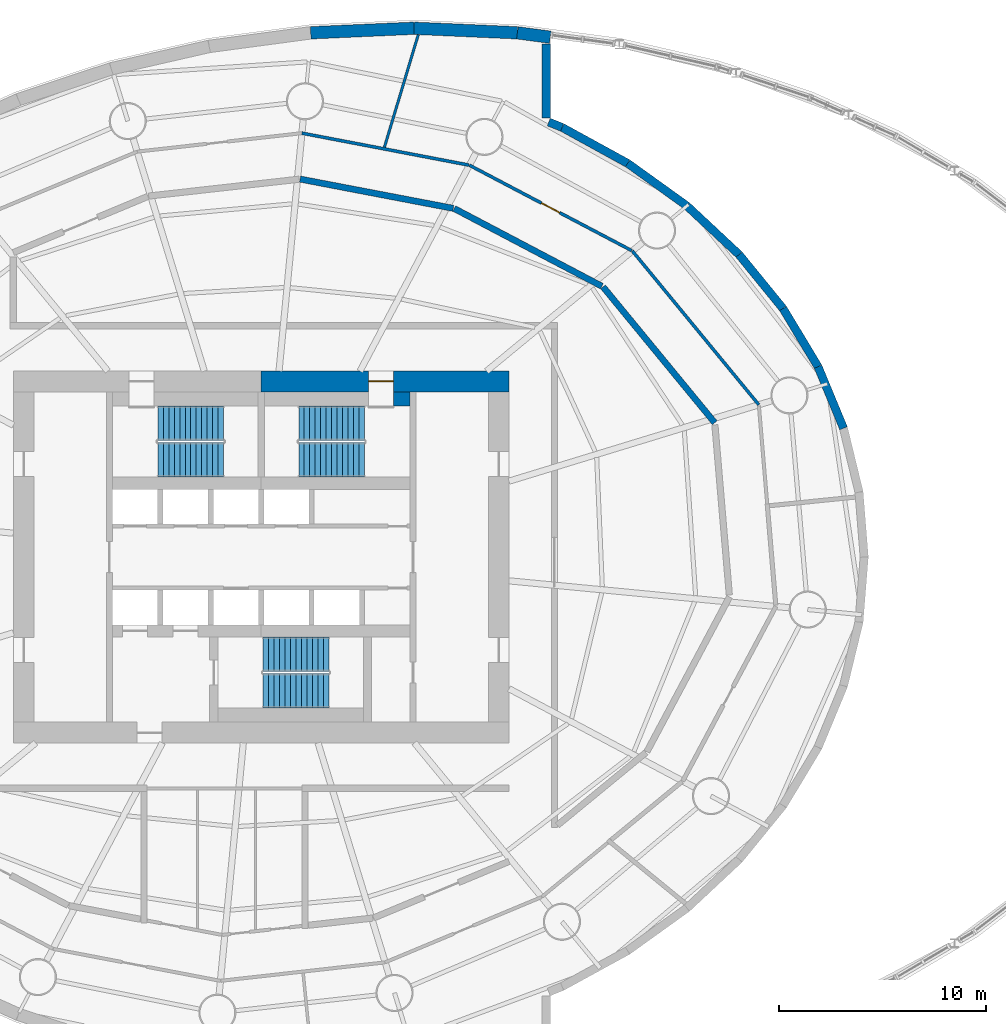
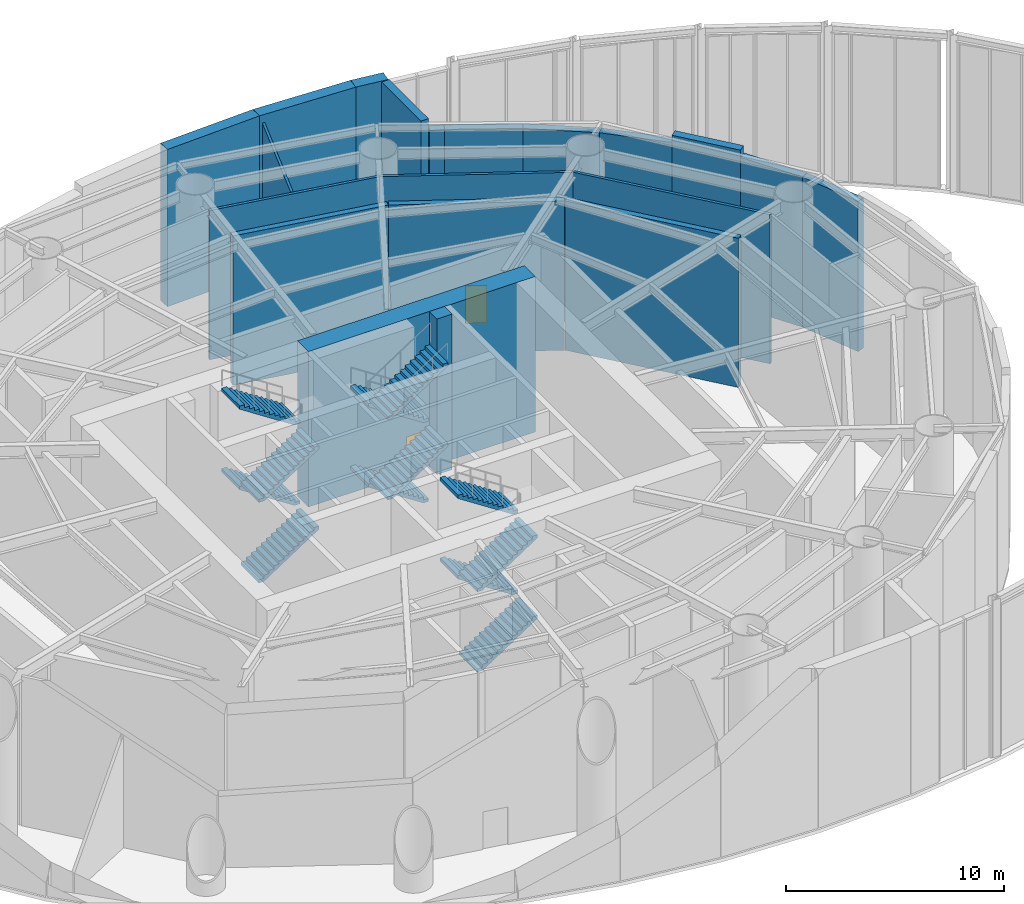
# One storey, part 17 of 19: 20 walls, 12 stair flights, 2 doors, 2 openings, 3 elements without a shape of their own.
"""IFC4 building model written with IfcOpenShell, lengths in metres."""

from ifc_helpers import new_model, si_unit, direction, frame, frame_2d, origin, place, context, subcontext, project, spatial, polyline, rectangle, outline, extrude, material, layer, layer_set, type_object, element, fill, aggregate, save


model = new_model("IFC4")

# Units and contexts
model_context = context("Model", 3, precision=1e-05, world=origin(), true_north=direction((0.0, 1.0)))
body_context = subcontext(model_context, "Body", "Model", "MODEL_VIEW")
ifc_project = project(units=[si_unit("LENGTHUNIT", "METRE"), si_unit("AREAUNIT", "SQUARE_METRE"), si_unit("VOLUMEUNIT", "CUBIC_METRE"), si_unit("PLANEANGLEUNIT", "RADIAN"), si_unit("MASSUNIT", "GRAM", prefix="KILO")], contexts=[model_context])

# Site, building, storey
site_placement = place(None, origin())
site = spatial("IfcSite", under=ifc_project, at=site_placement, CompositionType="ELEMENT")
building_placement = place(site_placement, origin())
building = spatial("IfcBuilding", under=site, at=building_placement, Name="Vermilion Reach Broadcast Tower", CompositionType="ELEMENT")
storey_placement = place(building_placement, frame((0.0, 0.0, 8.0)))
storey = spatial("IfcBuildingStorey", under=building, at=storey_placement, Name="L01", CompositionType="ELEMENT", Elevation=8.0)

# Walls
ifc_material_1 = material(Name="Precast concrete C40/50 with acoustic cladding", Category="concrete")
ifc_layer_1 = layer(ifc_material_1, 0.39990234375)
ifc_layer_set_1 = layer_set([ifc_layer_1], Name="Atrium end wall 400")
wall_type_1 = type_object("IfcWallType", Name="Atrium end wall 400", PredefinedType="SOLIDWALL", material=ifc_layer_set_1)
wall_1_placement = place(storey_placement, frame((17.14013671875, 14.639892578125, 0.0), z_axis=(0.0, 0.0, 1.0), x_axis=(0.631953724698, -0.775006122453, 0.0)))
element("IfcWall", 1, at=wall_1_placement, inside=storey, type_object=wall_type_1, Name="Podium wall L01 dru04", PredefinedType="SOLIDWALL", context=body_context, shape_type="SweptSolid", body=[
    extrude(rectangle(XDim=3.3671875, YDim=0.39990234375, at=frame_2d((1.68359375, 0.0))), origin(), (0.0, 0.0, 1.0), 8.800048828125),
])
wall_2_placement = place(storey_placement, frame((7.800048828125, 24.84521484375, 0.0), z_axis=(0.0, 0.0, 1.0), x_axis=(0.0, -1.0, 0.0)))
element("IfcWall", 2, at=wall_2_placement, inside=storey, type_object=wall_type_1, Name="Atrium end wall L01 1", PredefinedType="SOLIDWALL", context=body_context, shape_type="SweptSolid", body=[
    extrude(rectangle(XDim=3.599365234375, YDim=0.39990234375, at=frame_2d((1.7998046875, 0.0))), origin(), (0.0, 0.0, 1.0), 8.800048828125),
])
ifc_material_2 = material(Name="Precast concrete C40/50 with acoustic cladding", Category="concrete")
ifc_layer_2 = layer(ifc_material_2, 0.39990234375)
ifc_layer_set_2 = layer_set([ifc_layer_2], Name="Atrium end wall 400, head 400 below soffit")
wall_type_2 = type_object("IfcWallType", Name="Atrium end wall 400, head 400 below soffit", PredefinedType="SOLIDWALL", material=ifc_layer_set_2)
wall_3_placement = place(storey_placement, frame((7.925048828125, 21.060546875, 0.0), z_axis=(0.0, 0.0, 1.0), x_axis=(0.927141159757, -0.374712249444, 0.0)))
element("IfcWall", 3, at=wall_3_placement, inside=storey, type_object=wall_type_2, Name="Podium wall L01 dru00", PredefinedType="SOLIDWALL", context=body_context, shape_type="SweptSolid", body=[
    extrude(rectangle(XDim=0.696533203125, YDim=0.39990234375, at=frame_2d((0.34814453125, 0.0))), origin(), (0.0, 0.0, 1.0), 8.39990234375),
])
wall_4_placement = place(storey_placement, frame((8.57080078125, 20.799560546875, 0.0), z_axis=(0.0, 0.0, 1.0), x_axis=(0.87711318505, -0.48028372928, 0.0)))
element("IfcWall", 4, at=wall_4_placement, inside=storey, type_object=wall_type_2, Name="Podium wall L01 dru01", PredefinedType="SOLIDWALL", context=body_context, shape_type="SweptSolid", body=[
    extrude(rectangle(XDim=3.61865234375, YDim=0.39990234375, at=frame_2d((1.809326171875, 0.0))), origin(), (0.0, 0.0, 1.0), 8.39990234375),
])
wall_5_placement = place(storey_placement, frame((11.744873046875, 19.0615234375, 0.0), z_axis=(0.0, 0.0, 1.0), x_axis=(0.81205624831, -0.583579171648, 0.0)))
element("IfcWall", 5, at=wall_5_placement, inside=storey, type_object=wall_type_2, Name="Podium wall L01 dru02", PredefinedType="SOLIDWALL", context=body_context, shape_type="SweptSolid", body=[
    extrude(rectangle(XDim=3.5380859375, YDim=0.39990234375, at=frame_2d((1.76904296875, 0.0))), origin(), (0.0, 0.0, 1.0), 8.39990234375),
])
wall_6_placement = place(storey_placement, frame((14.617919921875, 16.996826171875, 0.0), z_axis=(0.0, 0.0, 1.0), x_axis=(0.730641209912, -0.682761614605, 0.0)))
element("IfcWall", 6, at=wall_6_placement, inside=storey, type_object=wall_type_2, Name="Podium wall L01 dru03", PredefinedType="SOLIDWALL", context=body_context, shape_type="SweptSolid", body=[
    extrude(rectangle(XDim=3.4521484375, YDim=0.39990234375, at=frame_2d((1.72607421875, 0.0))), origin(), (0.0, 0.0, 1.0), 8.39990234375),
])
wall_7_placement = place(storey_placement, frame((19.26806640625, 12.0302734375, 0.0), z_axis=(0.0, 0.0, 1.0), x_axis=(0.515586767828, -0.856837373625, 0.0)))
element("IfcWall", 7, at=wall_7_placement, inside=storey, type_object=wall_type_2, Name="Podium wall L01 dru05", PredefinedType="SOLIDWALL", context=body_context, shape_type="SweptSolid", body=[
    extrude(rectangle(XDim=3.28955078125, YDim=0.39990234375, at=frame_2d((1.644775390625, 0.0))), origin(), (0.0, 0.0, 1.0), 8.39990234375),
])
wall_8_placement = place(storey_placement, frame((20.964111328125, 9.211669921875, 0.0), z_axis=(0.0, 0.0, 1.0), x_axis=(0.382706172342, -0.923870112976, 0.0)))
element("IfcWall", 8, at=wall_8_placement, inside=storey, type_object=wall_type_2, Name="Podium wall L01 dru06", PredefinedType="SOLIDWALL", context=body_context, shape_type="SweptSolid", body=[
    extrude(rectangle(XDim=3.224853515625, YDim=0.39990234375, at=frame_2d((1.6123046875, 0.0))), origin(), (0.0, 0.0, 1.0), 8.39990234375),
])

# Wall, opening, door
ifc_material_3 = material(Name="Concrete C70", Category="concrete")
ifc_layer_3 = layer(ifc_material_3, 1.0)
ifc_layer_set_3 = layer_set([ifc_layer_3], Name="Core outer wall 1000 mm Concrete C70")
wall_type_3 = type_object("IfcWallType", Name="Core outer wall 1000 mm Concrete C70", PredefinedType="SHEAR", material=ifc_layer_set_3)
wall_9_placement = place(storey_placement, frame((6.0, 8.5, 0.0), z_axis=(0.0, 0.0, 1.0), x_axis=(-1.0, 0.0, 0.0)))
wall_9 = element("IfcWall", 9, at=wall_9_placement, inside=storey, type_object=wall_type_3, Name="L01 core wall onE", PredefinedType="SHEAR", context=body_context, shape_type="SweptSolid", body=[
    extrude(rectangle(XDim=12.0, YDim=1.0, at=frame_2d((6.0, 0.0))), origin(), (0.0, 0.0, 1.0), 8.699951171875),
])
opening_1_placement = place(wall_9_placement, frame((5.60009765625, 0.0, 0.0)))
opening_1 = element("IfcOpeningElement", 10, at=opening_1_placement, cuts=wall_9, Name="Opening D01", PredefinedType="OPENING", context=body_context, shape_type="SweptSolid", body=[
    extrude(rectangle(XDim=1.199951171875, YDim=2.10009765625, at=frame_2d((0.60009765625, 1.050048828125))), frame((0.0, 0.510009765625, 0.0), z_axis=(0.0, -1.0, 0.0), x_axis=(1.0, 0.0, 0.0)), (0.0, 0.0, 1.0), 1.02001953125),
])
ifc_material_4 = material(Name="Painted steel fire door", Category="steel")
door_type_1 = type_object("IfcDoorType", Name="Stair door 1200 x 2100", OperationType="DOUBLE_DOOR_SINGLE_SWING", PredefinedType="NOTDEFINED", material=ifc_material_4)
door_1_placement = place(opening_1_placement, origin())
door_1 = element("IfcDoor", 11, at=door_1_placement, inside=storey, type_object=door_type_1, Name="L01 stair door ST2", OperationType="DOUBLE_DOOR_SINGLE_SWING", OverallHeight=2.10009765625, OverallWidth=1.199951171875, PredefinedType="NOTDEFINED", context=body_context, shape_type="SweptSolid", body=[
    extrude(rectangle(XDim=1.199951171875, YDim=2.10009765625, at=frame_2d((0.60009765625, 1.050048828125))), frame((0.0, 0.02490234375, 0.0), z_axis=(0.0, -1.0, 0.0), x_axis=(1.0, 0.0, 0.0)), (0.0, 0.0, 1.0), 0.050048828125),
])
fill(opening_1, door_1)

# Walls
ifc_material_5 = material(Name="Concrete C70", Category="concrete")
ifc_layer_4 = layer(ifc_material_5, 0.699951171875)
ifc_layer_set_4 = layer_set([ifc_layer_4], Name="Core stair wall 700 mm Concrete C70")
wall_type_4 = type_object("IfcWallType", Name="Core stair wall 700 mm Concrete C70", PredefinedType="SHEAR", material=ifc_layer_set_4)
wall_10_placement = place(storey_placement, frame((0.39990234375, 7.64990234375, 0.0), z_axis=(0.0, 0.0, 1.0), x_axis=(1.0, 0.0, 0.0)))
element("IfcWall", 12, at=wall_10_placement, inside=storey, type_object=wall_type_4, Name="L01 core wall l2b", PredefinedType="SHEAR", context=body_context, shape_type="SweptSolid", body=[
    extrude(rectangle(XDim=0.800048828125, YDim=0.699951171875, at=frame_2d((0.39990234375, 0.0))), origin(), (0.0, 0.0, 1.0), 8.699951171875),
])
ifc_material_6 = material(Name="Gypsum board partition")
ifc_layer_5 = layer(ifc_material_6, 0.14990234375)
ifc_layer_set_5 = layer_set([ifc_layer_5], Name="Corridor wall 150")
wall_type_5 = type_object("IfcWallType", Name="Corridor wall 150", PredefinedType="PARTITIONING", material=ifc_layer_set_5)
wall_11_placement = place(storey_placement, frame((11.970458984375, 14.81884765625, 0.0), z_axis=(0.0, 0.0, 1.0), x_axis=(0.635024486896, -0.772492007106, 0.0)))
element("IfcWall", 13, at=wall_11_placement, inside=storey, type_object=wall_type_5, Name="sp.wall.L01.032", PredefinedType="PARTITIONING", context=body_context, shape_type="SweptSolid", body=[
    extrude(rectangle(XDim=9.641845703125, YDim=0.14990234375, at=frame_2d((4.82080078125, 0.0))), origin(), (0.0, 0.0, 1.0), 8.35009765625),
])

# Wall, opening, door
wall_12_placement = place(storey_placement, frame((11.9423828125, 14.83349609375, 0.0), z_axis=(0.0, 0.0, 1.0), x_axis=(-0.884920607371, 0.465741901326, 0.0)))
wall_12 = element("IfcWall", 14, at=wall_12_placement, inside=storey, type_object=wall_type_5, Name="sp.wall.L01.033", PredefinedType="PARTITIONING", context=body_context, shape_type="SweptSolid", body=[
    extrude(rectangle(XDim=8.882080078125, YDim=0.14990234375, at=frame_2d((4.44091796875, 0.0))), origin(), (0.0, 0.0, 1.0), 8.35009765625),
])
opening_2_placement = place(wall_12_placement, frame((3.941162109375, 0.0, 0.0)))
opening_2 = element("IfcOpeningElement", 15, at=opening_2_placement, cuts=wall_12, Name="Opening D50", PredefinedType="OPENING", context=body_context, shape_type="SweptSolid", body=[
    extrude(rectangle(XDim=1.0, YDim=2.10009765625, at=frame_2d((0.5, 1.050048828125))), frame((0.0, 0.0849609375, 0.0), z_axis=(0.0, -1.0, 0.0), x_axis=(1.0, 0.0, 0.0)), (0.0, 0.0, 1.0), 0.169921875),
])
ifc_material_7 = material(Name="Timber and steel door set", Category="steel")
door_type_2 = type_object("IfcDoorType", Name="Door 1000x2100", OperationType="NOTDEFINED", PredefinedType="DOOR", material=ifc_material_7)
door_2_placement = place(opening_2_placement, origin())
door_2 = element("IfcDoor", 16, at=door_2_placement, inside=storey, type_object=door_type_2, Name="sp.door.L01.006", OperationType="SINGLE_SWING_LEFT", OverallHeight=2.10009765625, OverallWidth=1.0, PredefinedType="DOOR", context=body_context, shape_type="SweptSolid", body=[
    extrude(rectangle(XDim=1.0, YDim=2.10009765625, at=frame_2d((0.5, 1.050048828125))), frame((0.0, 0.02490234375, 0.0), z_axis=(0.0, -1.0, 0.0), x_axis=(1.0, 0.0, 0.0)), (0.0, 0.0, 1.0), 0.050048828125),
])
fill(opening_2, door_2)

# Walls
wall_13_placement = place(storey_placement, frame((-4.027587890625, 20.52099609375, 0.0), z_axis=(0.0, 0.0, 1.0), x_axis=(0.982207009241, -0.187801466976, 0.0)))
element("IfcWall", 17, at=wall_13_placement, inside=storey, type_object=wall_type_5, Name="sp.wall.L01.034", PredefinedType="PARTITIONING", context=body_context, shape_type="SweptSolid", body=[
    extrude(rectangle(XDim=8.234130859375, YDim=0.14990234375, at=frame_2d((4.1171875, 0.0))), origin(), (0.0, 0.0, 1.0), 8.35009765625),
])
ifc_material_8 = material(Name="Gypsum board partition")
ifc_layer_6 = layer(ifc_material_8, 0.125)
ifc_layer_set_6 = layer_set([ifc_layer_6], Name="Partition 125 plasterboard")
wall_type_6 = type_object("IfcWallType", Name="Partition 125 plasterboard", PredefinedType="PARTITIONING", material=ifc_layer_set_6)
wall_14_placement = place(storey_placement, frame((-0.03271484375, 19.840087890625, 0.0), z_axis=(0.0, 0.0, 1.0), x_axis=(0.288063986859, 0.957611162986, 0.0)))
element("IfcWall", 18, at=wall_14_placement, inside=storey, type_object=wall_type_6, Name="sp.wall.L01.029", PredefinedType="PARTITIONING", context=body_context, shape_type="SweptSolid", body=[
    extrude(rectangle(XDim=5.69189453125, YDim=0.125, at=frame_2d((2.845947265625, 0.0))), origin(), (0.0, 0.0, 1.0), 8.35009765625),
])
ifc_material_9 = material(Name="Precast concrete C40/50 with acoustic cladding", Category="concrete")
ifc_layer_7 = layer(ifc_material_9, 0.60009765625)
ifc_layer_set_7 = layer_set([ifc_layer_7], Name="Podium acoustic wall 600")
wall_type_7 = type_object("IfcWallType", Name="Podium acoustic wall 600", PredefinedType="SOLIDWALL", material=ifc_layer_set_7)
wall_15_placement = place(storey_placement, frame((8.0, 25.1650390625, 0.0), z_axis=(0.0, 0.0, 1.0), x_axis=(-0.991131029833, 0.132888230112, 0.0)))
element("IfcWall", 19, at=wall_15_placement, inside=storey, type_object=wall_type_7, Name="Podium wall L01 str00", PredefinedType="SOLIDWALL", context=body_context, shape_type="SweptSolid", body=[
    extrude(rectangle(XDim=1.611328125, YDim=0.60009765625, at=frame_2d((0.8056640625, 0.0))), origin(), (0.0, 0.0, 1.0), 8.800048828125),
])
wall_16_placement = place(storey_placement, frame((6.403076171875, 25.379150390625, 0.0), z_axis=(0.0, 0.0, 1.0), x_axis=(-0.99902630841, 0.044118421369, 0.0)))
element("IfcWall", 20, at=wall_16_placement, inside=storey, type_object=wall_type_7, Name="Podium wall L01 str01", PredefinedType="SOLIDWALL", context=body_context, shape_type="SweptSolid", body=[
    extrude(rectangle(XDim=5.008056640625, YDim=0.60009765625, at=frame_2d((2.50390625, 0.0))), origin(), (0.0, 0.0, 1.0), 8.800048828125),
])
wall_17_placement = place(storey_placement, frame((1.39990234375, 25.60009765625, 0.0), z_axis=(0.0, 0.0, 1.0), x_axis=(-0.999026213515, -0.044120570136, 0.0)))
element("IfcWall", 21, at=wall_17_placement, inside=storey, type_object=wall_type_7, Name="Podium wall L01 str02", PredefinedType="SOLIDWALL", context=body_context, shape_type="SweptSolid", body=[
    extrude(rectangle(XDim=5.0078125, YDim=0.60009765625, at=frame_2d((2.50390625, 0.0))), origin(), (0.0, 0.0, 1.0), 8.800048828125),
])
ifc_material_10 = material(Name="Gypsum board double-leaf partition")
ifc_layer_8 = layer(ifc_material_10, 0.300048828125)
ifc_layer_set_8 = layer_set([ifc_layer_8], Name="Studio acoustic wall 300")
wall_type_8 = type_object("IfcWallType", Name="Studio acoustic wall 300", PredefinedType="PARTITIONING", material=ifc_layer_set_8)
wall_18_placement = place(storey_placement, frame((-4.113525390625, 18.297607421875, 0.0), z_axis=(0.0, 0.0, 1.0), x_axis=(0.982202179266, -0.18782672612, 0.0)))
element("IfcWall", 22, at=wall_18_placement, inside=storey, type_object=wall_type_8, Name="sp.wall.L01.009", PredefinedType="PARTITIONING", context=body_context, shape_type="SweptSolid", body=[
    extrude(rectangle(XDim=7.550537109375, YDim=0.300048828125, at=frame_2d((3.775390625, 0.0))), origin(), (0.0, 0.0, 1.0), 8.35009765625),
])
wall_19_placement = place(storey_placement, frame((3.34765625, 16.870849609375, 0.0), z_axis=(0.0, 0.0, 1.0), x_axis=(0.88492608831, -0.465731487264, 0.0)))
element("IfcWall", 23, at=wall_19_placement, inside=storey, type_object=wall_type_8, Name="sp.wall.L01.010", PredefinedType="PARTITIONING", context=body_context, shape_type="SweptSolid", body=[
    extrude(rectangle(XDim=8.0791015625, YDim=0.300048828125, at=frame_2d((4.03955078125, 0.0))), origin(), (0.0, 0.0, 1.0), 8.35009765625),
])
wall_20_placement = place(storey_placement, frame((10.552734375, 13.078857421875, 0.0), z_axis=(0.0, 0.0, 1.0), x_axis=(0.635033534221, -0.772484569694, 0.0)))
element("IfcWall", 24, at=wall_20_placement, inside=storey, type_object=wall_type_8, Name="sp.wall.L01.011", PredefinedType="PARTITIONING", context=body_context, shape_type="SweptSolid", body=[
    extrude(rectangle(XDim=8.513427734375, YDim=0.300048828125, at=frame_2d((4.2568359375, 0.0))), origin(), (0.0, 0.0, 1.0), 8.35009765625),
])

# Stair, stair flights
ifc_material_11 = material(Name="Concrete C40", Category="concrete")
stair_type = type_object("IfcStairType", Name="Exit stair RC 52 risers 173 mm", PredefinedType="HALF_TURN_STAIR", material=ifc_material_11)
placement = place(storey_placement, origin())
stair_1 = element("IfcStair", 25, at=placement, inside=storey, type_object=stair_type, Name="L01 Exit stair ST1", PredefinedType="HALF_TURN_STAIR")
ifc_material_12 = material(Name="Concrete C40", Category="concrete")
stair_flight_type = type_object("IfcStairFlightType", Name="Exit stair flight RC 13 risers", PredefinedType="STRAIGHT", material=ifc_material_12)
stair_flight_1_placement = place(storey_placement, frame((-11.0, 4.7099609375, 0.0), z_axis=(0.0, 0.0, 1.0), x_axis=(1.0, 0.0, 0.0)))
stair_flight_1 = element("IfcStairFlight", 26, at=stair_flight_1_placement, type_object=stair_flight_type, Name="ST1 flight 1", NumberOfRisers=13, NumberOfTreads=12, PredefinedType="STRAIGHT", RiserHeight=0.173076923, TreadLength=0.265, context=body_context, shape_type="SweptSolid", body=[
    extrude(outline(polyline([(0.0, 0.0), (0.0, 0.173095703125), (0.264892578125, 0.173095703125), (0.264892578125, 0.34619140625), (0.530029296875, 0.34619140625), (0.530029296875, 0.519287109375), (0.794921875, 0.519287109375), (0.794921875, 0.6923828125), (1.06005859375, 0.6923828125), (1.06005859375, 0.865478515625), (1.324951171875, 0.865478515625), (1.324951171875, 1.03857421875), (1.590087890625, 1.03857421875), (1.590087890625, 1.21142578125), (1.85498046875, 1.21142578125), (1.85498046875, 1.384521484375), (2.1201171875, 1.384521484375), (2.1201171875, 1.5576171875), (2.385009765625, 1.5576171875), (2.385009765625, 1.730712890625), (2.64990234375, 1.730712890625), (2.64990234375, 1.90380859375), (2.9150390625, 1.90380859375), (2.9150390625, 2.076904296875), (3.179931640625, 2.076904296875), (3.179931640625, 2.25), (3.179931640625, 1.89794921875), (0.274169921875, 0.0), (0.0, 0.0)])), frame((0.0, 0.830078125, 0.0), z_axis=(0.0, -1.0, 0.0), x_axis=(1.0, 0.0, 0.0)), (0.0, 0.0, 1.0), 1.659912109375),
])
stair_flight_2_placement = place(storey_placement, frame((-7.820068359375, 6.469970703125, 2.25), z_axis=(0.0, 0.0, 1.0), x_axis=(-1.0, 0.0, 0.0)))
stair_flight_2 = element("IfcStairFlight", 27, at=stair_flight_2_placement, type_object=stair_flight_type, Name="ST1 flight 2", NumberOfRisers=13, NumberOfTreads=12, PredefinedType="STRAIGHT", RiserHeight=0.173076923, TreadLength=0.265, context=body_context, shape_type="SweptSolid", body=[
    extrude(outline(polyline([(0.0, 0.0), (0.0, 0.173095703125), (0.264892578125, 0.173095703125), (0.264892578125, 0.34619140625), (0.530029296875, 0.34619140625), (0.530029296875, 0.519287109375), (0.794921875, 0.519287109375), (0.794921875, 0.6923828125), (1.06005859375, 0.6923828125), (1.06005859375, 0.865478515625), (1.324951171875, 0.865478515625), (1.324951171875, 1.03857421875), (1.590087890625, 1.03857421875), (1.590087890625, 1.21142578125), (1.85498046875, 1.21142578125), (1.85498046875, 1.384521484375), (2.1201171875, 1.384521484375), (2.1201171875, 1.5576171875), (2.385009765625, 1.5576171875), (2.385009765625, 1.730712890625), (2.64990234375, 1.730712890625), (2.64990234375, 1.90380859375), (2.9150390625, 1.90380859375), (2.9150390625, 2.076904296875), (3.179931640625, 2.076904296875), (3.179931640625, 2.25), (3.179931640625, 1.89794921875), (0.274169921875, 0.0), (0.0, 0.0)])), frame((0.0, 0.830078125, 0.0), z_axis=(0.0, -1.0, 0.0), x_axis=(1.0, 0.0, 0.0)), (0.0, 0.0, 1.0), 1.659912109375),
])
stair_flight_3_placement = place(storey_placement, frame((-11.0, 4.7099609375, 4.5), z_axis=(0.0, 0.0, 1.0), x_axis=(1.0, 0.0, 0.0)))
stair_flight_3 = element("IfcStairFlight", 28, at=stair_flight_3_placement, type_object=stair_flight_type, Name="ST1 flight 3", NumberOfRisers=13, NumberOfTreads=12, PredefinedType="STRAIGHT", RiserHeight=0.173076923, TreadLength=0.265, context=body_context, shape_type="SweptSolid", body=[
    extrude(outline(polyline([(0.0, 0.0), (0.0, 0.173095703125), (0.264892578125, 0.173095703125), (0.264892578125, 0.34619140625), (0.530029296875, 0.34619140625), (0.530029296875, 0.519287109375), (0.794921875, 0.519287109375), (0.794921875, 0.6923828125), (1.06005859375, 0.6923828125), (1.06005859375, 0.865478515625), (1.324951171875, 0.865478515625), (1.324951171875, 1.03857421875), (1.590087890625, 1.03857421875), (1.590087890625, 1.21142578125), (1.85498046875, 1.21142578125), (1.85498046875, 1.384521484375), (2.1201171875, 1.384521484375), (2.1201171875, 1.5576171875), (2.385009765625, 1.5576171875), (2.385009765625, 1.730712890625), (2.64990234375, 1.730712890625), (2.64990234375, 1.90380859375), (2.9150390625, 1.90380859375), (2.9150390625, 2.076904296875), (3.179931640625, 2.076904296875), (3.179931640625, 2.25), (3.179931640625, 1.89794921875), (0.274169921875, 0.0), (0.0, 0.0)])), frame((0.0, 0.830078125, 0.0), z_axis=(0.0, -1.0, 0.0), x_axis=(1.0, 0.0, 0.0)), (0.0, 0.0, 1.0), 1.659912109375),
])
stair_flight_4_placement = place(storey_placement, frame((-7.820068359375, 6.469970703125, 6.75), z_axis=(0.0, 0.0, 1.0), x_axis=(-1.0, 0.0, 0.0)))
stair_flight_4 = element("IfcStairFlight", 29, at=stair_flight_4_placement, type_object=stair_flight_type, Name="ST1 flight 4", NumberOfRisers=13, NumberOfTreads=12, PredefinedType="STRAIGHT", RiserHeight=0.173076923, TreadLength=0.265, context=body_context, shape_type="SweptSolid", body=[
    extrude(outline(polyline([(0.0, 0.0), (0.0, 0.173095703125), (0.264892578125, 0.173095703125), (0.264892578125, 0.34619140625), (0.530029296875, 0.34619140625), (0.530029296875, 0.519287109375), (0.794921875, 0.519287109375), (0.794921875, 0.6923828125), (1.06005859375, 0.6923828125), (1.06005859375, 0.865478515625), (1.324951171875, 0.865478515625), (1.324951171875, 1.03857421875), (1.590087890625, 1.03857421875), (1.590087890625, 1.21142578125), (1.85498046875, 1.21142578125), (1.85498046875, 1.384521484375), (2.1201171875, 1.384521484375), (2.1201171875, 1.5576171875), (2.385009765625, 1.5576171875), (2.385009765625, 1.730712890625), (2.64990234375, 1.730712890625), (2.64990234375, 1.90380859375), (2.9150390625, 1.90380859375), (2.9150390625, 2.076904296875), (3.179931640625, 2.076904296875), (3.179931640625, 2.25), (3.179931640625, 1.89794921875), (0.274169921875, 0.0), (0.0, 0.0)])), frame((0.0, 0.830078125, 0.0), z_axis=(0.0, -1.0, 0.0), x_axis=(1.0, 0.0, 0.0)), (0.0, 0.0, 1.0), 1.659912109375),
])
aggregate(stair_1, [stair_flight_1, stair_flight_2, stair_flight_3, stair_flight_4])

stair_2 = element("IfcStair", 30, at=placement, inside=storey, type_object=stair_type, Name="L01 Exit stair ST2", PredefinedType="HALF_TURN_STAIR")
stair_flight_5_placement = place(storey_placement, frame((-1.0, 6.469970703125, 0.0), z_axis=(0.0, 0.0, 1.0), x_axis=(-1.0, 0.0, 0.0)))
stair_flight_5 = element("IfcStairFlight", 31, at=stair_flight_5_placement, type_object=stair_flight_type, Name="ST2 flight 1", NumberOfRisers=13, NumberOfTreads=12, PredefinedType="STRAIGHT", RiserHeight=0.173076923, TreadLength=0.265, context=body_context, shape_type="SweptSolid", body=[
    extrude(outline(polyline([(0.0, 0.0), (0.0, 0.173095703125), (0.264892578125, 0.173095703125), (0.264892578125, 0.34619140625), (0.530029296875, 0.34619140625), (0.530029296875, 0.519287109375), (0.794921875, 0.519287109375), (0.794921875, 0.6923828125), (1.06005859375, 0.6923828125), (1.06005859375, 0.865478515625), (1.324951171875, 0.865478515625), (1.324951171875, 1.03857421875), (1.590087890625, 1.03857421875), (1.590087890625, 1.21142578125), (1.85498046875, 1.21142578125), (1.85498046875, 1.384521484375), (2.1201171875, 1.384521484375), (2.1201171875, 1.5576171875), (2.385009765625, 1.5576171875), (2.385009765625, 1.730712890625), (2.64990234375, 1.730712890625), (2.64990234375, 1.90380859375), (2.9150390625, 1.90380859375), (2.9150390625, 2.076904296875), (3.179931640625, 2.076904296875), (3.179931640625, 2.25), (3.179931640625, 1.89794921875), (0.274169921875, 0.0), (0.0, 0.0)])), frame((0.0, 0.830078125, 0.0), z_axis=(0.0, -1.0, 0.0), x_axis=(1.0, 0.0, 0.0)), (0.0, 0.0, 1.0), 1.659912109375),
])
stair_flight_6_placement = place(storey_placement, frame((-4.179931640625, 4.7099609375, 2.25), z_axis=(0.0, 0.0, 1.0), x_axis=(1.0, 0.0, 0.0)))
stair_flight_6 = element("IfcStairFlight", 32, at=stair_flight_6_placement, type_object=stair_flight_type, Name="ST2 flight 2", NumberOfRisers=13, NumberOfTreads=12, PredefinedType="STRAIGHT", RiserHeight=0.173076923, TreadLength=0.265, context=body_context, shape_type="SweptSolid", body=[
    extrude(outline(polyline([(0.0, 0.0), (0.0, 0.173095703125), (0.264892578125, 0.173095703125), (0.264892578125, 0.34619140625), (0.530029296875, 0.34619140625), (0.530029296875, 0.519287109375), (0.794921875, 0.519287109375), (0.794921875, 0.6923828125), (1.06005859375, 0.6923828125), (1.06005859375, 0.865478515625), (1.324951171875, 0.865478515625), (1.324951171875, 1.03857421875), (1.590087890625, 1.03857421875), (1.590087890625, 1.21142578125), (1.85498046875, 1.21142578125), (1.85498046875, 1.384521484375), (2.1201171875, 1.384521484375), (2.1201171875, 1.5576171875), (2.385009765625, 1.5576171875), (2.385009765625, 1.730712890625), (2.64990234375, 1.730712890625), (2.64990234375, 1.90380859375), (2.9150390625, 1.90380859375), (2.9150390625, 2.076904296875), (3.179931640625, 2.076904296875), (3.179931640625, 2.25), (3.179931640625, 1.89794921875), (0.274169921875, 0.0), (0.0, 0.0)])), frame((0.0, 0.830078125, 0.0), z_axis=(0.0, -1.0, 0.0), x_axis=(1.0, 0.0, 0.0)), (0.0, 0.0, 1.0), 1.659912109375),
])
stair_flight_7_placement = place(storey_placement, frame((-1.0, 6.469970703125, 4.5), z_axis=(0.0, 0.0, 1.0), x_axis=(-1.0, 0.0, 0.0)))
stair_flight_7 = element("IfcStairFlight", 33, at=stair_flight_7_placement, type_object=stair_flight_type, Name="ST2 flight 3", NumberOfRisers=13, NumberOfTreads=12, PredefinedType="STRAIGHT", RiserHeight=0.173076923, TreadLength=0.265, context=body_context, shape_type="SweptSolid", body=[
    extrude(outline(polyline([(0.0, 0.0), (0.0, 0.173095703125), (0.264892578125, 0.173095703125), (0.264892578125, 0.34619140625), (0.530029296875, 0.34619140625), (0.530029296875, 0.519287109375), (0.794921875, 0.519287109375), (0.794921875, 0.6923828125), (1.06005859375, 0.6923828125), (1.06005859375, 0.865478515625), (1.324951171875, 0.865478515625), (1.324951171875, 1.03857421875), (1.590087890625, 1.03857421875), (1.590087890625, 1.21142578125), (1.85498046875, 1.21142578125), (1.85498046875, 1.384521484375), (2.1201171875, 1.384521484375), (2.1201171875, 1.5576171875), (2.385009765625, 1.5576171875), (2.385009765625, 1.730712890625), (2.64990234375, 1.730712890625), (2.64990234375, 1.90380859375), (2.9150390625, 1.90380859375), (2.9150390625, 2.076904296875), (3.179931640625, 2.076904296875), (3.179931640625, 2.25), (3.179931640625, 1.89794921875), (0.274169921875, 0.0), (0.0, 0.0)])), frame((0.0, 0.830078125, 0.0), z_axis=(0.0, -1.0, 0.0), x_axis=(1.0, 0.0, 0.0)), (0.0, 0.0, 1.0), 1.659912109375),
])
stair_flight_8_placement = place(storey_placement, frame((-4.179931640625, 4.7099609375, 6.75), z_axis=(0.0, 0.0, 1.0), x_axis=(1.0, 0.0, 0.0)))
stair_flight_8 = element("IfcStairFlight", 34, at=stair_flight_8_placement, type_object=stair_flight_type, Name="ST2 flight 4", NumberOfRisers=13, NumberOfTreads=12, PredefinedType="STRAIGHT", RiserHeight=0.173076923, TreadLength=0.265, context=body_context, shape_type="SweptSolid", body=[
    extrude(outline(polyline([(0.0, 0.0), (0.0, 0.173095703125), (0.264892578125, 0.173095703125), (0.264892578125, 0.34619140625), (0.530029296875, 0.34619140625), (0.530029296875, 0.519287109375), (0.794921875, 0.519287109375), (0.794921875, 0.6923828125), (1.06005859375, 0.6923828125), (1.06005859375, 0.865478515625), (1.324951171875, 0.865478515625), (1.324951171875, 1.03857421875), (1.590087890625, 1.03857421875), (1.590087890625, 1.21142578125), (1.85498046875, 1.21142578125), (1.85498046875, 1.384521484375), (2.1201171875, 1.384521484375), (2.1201171875, 1.5576171875), (2.385009765625, 1.5576171875), (2.385009765625, 1.730712890625), (2.64990234375, 1.730712890625), (2.64990234375, 1.90380859375), (2.9150390625, 1.90380859375), (2.9150390625, 2.076904296875), (3.179931640625, 2.076904296875), (3.179931640625, 2.25), (3.179931640625, 1.89794921875), (0.274169921875, 0.0), (0.0, 0.0)])), frame((0.0, 0.830078125, 0.0), z_axis=(0.0, -1.0, 0.0), x_axis=(1.0, 0.0, 0.0)), (0.0, 0.0, 1.0), 1.659912109375),
])
aggregate(stair_2, [stair_flight_5, stair_flight_6, stair_flight_7, stair_flight_8])

stair_3 = element("IfcStair", 35, at=placement, inside=storey, type_object=stair_type, Name="L01 Exit stair ST3", PredefinedType="HALF_TURN_STAIR")
stair_flight_9_placement = place(storey_placement, frame((-5.89990234375, -6.469970703125, 0.0), z_axis=(0.0, 0.0, 1.0), x_axis=(1.0, 0.0, 0.0)))
stair_flight_9 = element("IfcStairFlight", 36, at=stair_flight_9_placement, type_object=stair_flight_type, Name="ST3 flight 1", NumberOfRisers=13, NumberOfTreads=12, PredefinedType="STRAIGHT", RiserHeight=0.173076923, TreadLength=0.265, context=body_context, shape_type="SweptSolid", body=[
    extrude(outline(polyline([(0.0, 0.0), (0.0, 0.173095703125), (0.264892578125, 0.173095703125), (0.264892578125, 0.34619140625), (0.530029296875, 0.34619140625), (0.530029296875, 0.519287109375), (0.794921875, 0.519287109375), (0.794921875, 0.6923828125), (1.06005859375, 0.6923828125), (1.06005859375, 0.865478515625), (1.324951171875, 0.865478515625), (1.324951171875, 1.03857421875), (1.590087890625, 1.03857421875), (1.590087890625, 1.21142578125), (1.85498046875, 1.21142578125), (1.85498046875, 1.384521484375), (2.1201171875, 1.384521484375), (2.1201171875, 1.5576171875), (2.385009765625, 1.5576171875), (2.385009765625, 1.730712890625), (2.64990234375, 1.730712890625), (2.64990234375, 1.90380859375), (2.9150390625, 1.90380859375), (2.9150390625, 2.076904296875), (3.179931640625, 2.076904296875), (3.179931640625, 2.25), (3.179931640625, 1.89794921875), (0.274169921875, 0.0), (0.0, 0.0)])), frame((0.0, 0.830078125, 0.0), z_axis=(0.0, -1.0, 0.0), x_axis=(1.0, 0.0, 0.0)), (0.0, 0.0, 1.0), 1.659912109375),
])
stair_flight_10_placement = place(storey_placement, frame((-2.719970703125, -4.7099609375, 2.25), z_axis=(0.0, 0.0, 1.0), x_axis=(-1.0, 0.0, 0.0)))
stair_flight_10 = element("IfcStairFlight", 37, at=stair_flight_10_placement, type_object=stair_flight_type, Name="ST3 flight 2", NumberOfRisers=13, NumberOfTreads=12, PredefinedType="STRAIGHT", RiserHeight=0.173076923, TreadLength=0.265, context=body_context, shape_type="SweptSolid", body=[
    extrude(outline(polyline([(0.0, 0.0), (0.0, 0.173095703125), (0.264892578125, 0.173095703125), (0.264892578125, 0.34619140625), (0.530029296875, 0.34619140625), (0.530029296875, 0.519287109375), (0.794921875, 0.519287109375), (0.794921875, 0.6923828125), (1.06005859375, 0.6923828125), (1.06005859375, 0.865478515625), (1.324951171875, 0.865478515625), (1.324951171875, 1.03857421875), (1.590087890625, 1.03857421875), (1.590087890625, 1.21142578125), (1.85498046875, 1.21142578125), (1.85498046875, 1.384521484375), (2.1201171875, 1.384521484375), (2.1201171875, 1.5576171875), (2.385009765625, 1.5576171875), (2.385009765625, 1.730712890625), (2.64990234375, 1.730712890625), (2.64990234375, 1.90380859375), (2.9150390625, 1.90380859375), (2.9150390625, 2.076904296875), (3.179931640625, 2.076904296875), (3.179931640625, 2.25), (3.179931640625, 1.89794921875), (0.274169921875, 0.0), (0.0, 0.0)])), frame((0.0, 0.830078125, 0.0), z_axis=(0.0, -1.0, 0.0), x_axis=(1.0, 0.0, 0.0)), (0.0, 0.0, 1.0), 1.659912109375),
])
stair_flight_11_placement = place(storey_placement, frame((-5.89990234375, -6.469970703125, 4.5), z_axis=(0.0, 0.0, 1.0), x_axis=(1.0, 0.0, 0.0)))
stair_flight_11 = element("IfcStairFlight", 38, at=stair_flight_11_placement, type_object=stair_flight_type, Name="ST3 flight 3", NumberOfRisers=13, NumberOfTreads=12, PredefinedType="STRAIGHT", RiserHeight=0.173076923, TreadLength=0.265, context=body_context, shape_type="SweptSolid", body=[
    extrude(outline(polyline([(0.0, 0.0), (0.0, 0.173095703125), (0.264892578125, 0.173095703125), (0.264892578125, 0.34619140625), (0.530029296875, 0.34619140625), (0.530029296875, 0.519287109375), (0.794921875, 0.519287109375), (0.794921875, 0.6923828125), (1.06005859375, 0.6923828125), (1.06005859375, 0.865478515625), (1.324951171875, 0.865478515625), (1.324951171875, 1.03857421875), (1.590087890625, 1.03857421875), (1.590087890625, 1.21142578125), (1.85498046875, 1.21142578125), (1.85498046875, 1.384521484375), (2.1201171875, 1.384521484375), (2.1201171875, 1.5576171875), (2.385009765625, 1.5576171875), (2.385009765625, 1.730712890625), (2.64990234375, 1.730712890625), (2.64990234375, 1.90380859375), (2.9150390625, 1.90380859375), (2.9150390625, 2.076904296875), (3.179931640625, 2.076904296875), (3.179931640625, 2.25), (3.179931640625, 1.89794921875), (0.274169921875, 0.0), (0.0, 0.0)])), frame((0.0, 0.830078125, 0.0), z_axis=(0.0, -1.0, 0.0), x_axis=(1.0, 0.0, 0.0)), (0.0, 0.0, 1.0), 1.659912109375),
])
stair_flight_12_placement = place(storey_placement, frame((-2.719970703125, -4.7099609375, 6.75), z_axis=(0.0, 0.0, 1.0), x_axis=(-1.0, 0.0, 0.0)))
stair_flight_12 = element("IfcStairFlight", 39, at=stair_flight_12_placement, type_object=stair_flight_type, Name="ST3 flight 4", NumberOfRisers=13, NumberOfTreads=12, PredefinedType="STRAIGHT", RiserHeight=0.173076923, TreadLength=0.265, context=body_context, shape_type="SweptSolid", body=[
    extrude(outline(polyline([(0.0, 0.0), (0.0, 0.173095703125), (0.264892578125, 0.173095703125), (0.264892578125, 0.34619140625), (0.530029296875, 0.34619140625), (0.530029296875, 0.519287109375), (0.794921875, 0.519287109375), (0.794921875, 0.6923828125), (1.06005859375, 0.6923828125), (1.06005859375, 0.865478515625), (1.324951171875, 0.865478515625), (1.324951171875, 1.03857421875), (1.590087890625, 1.03857421875), (1.590087890625, 1.21142578125), (1.85498046875, 1.21142578125), (1.85498046875, 1.384521484375), (2.1201171875, 1.384521484375), (2.1201171875, 1.5576171875), (2.385009765625, 1.5576171875), (2.385009765625, 1.730712890625), (2.64990234375, 1.730712890625), (2.64990234375, 1.90380859375), (2.9150390625, 1.90380859375), (2.9150390625, 2.076904296875), (3.179931640625, 2.076904296875), (3.179931640625, 2.25), (3.179931640625, 1.89794921875), (0.274169921875, 0.0), (0.0, 0.0)])), frame((0.0, 0.830078125, 0.0), z_axis=(0.0, -1.0, 0.0), x_axis=(1.0, 0.0, 0.0)), (0.0, 0.0, 1.0), 1.659912109375),
])
aggregate(stair_3, [stair_flight_9, stair_flight_10, stair_flight_11, stair_flight_12])

save(model, "model.ifc")
